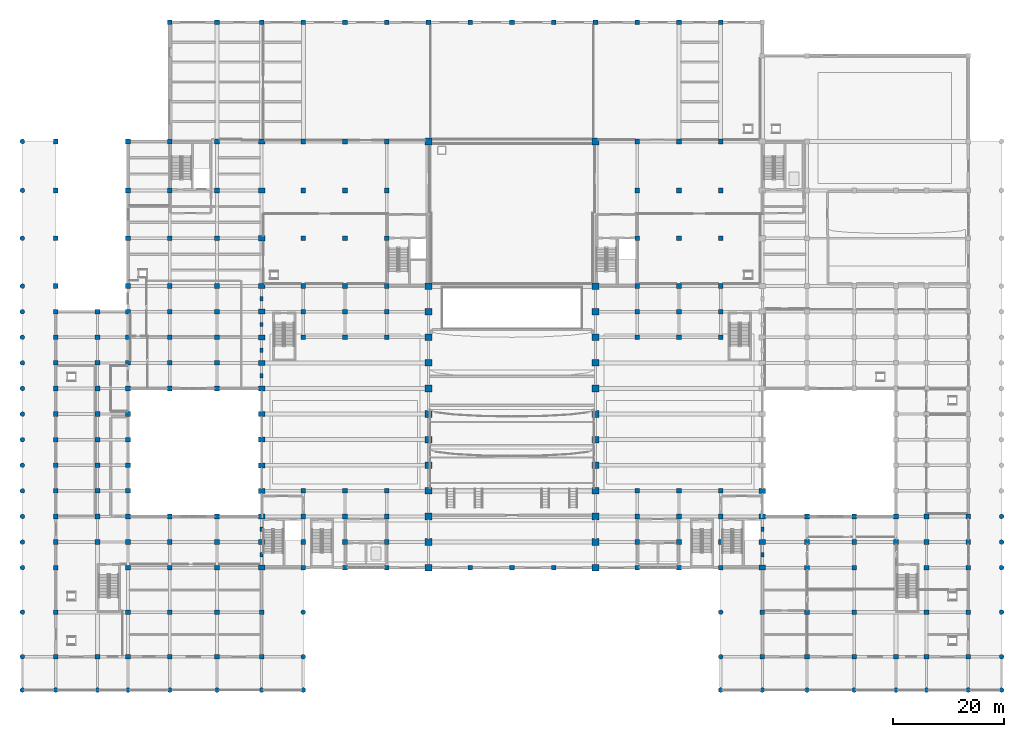
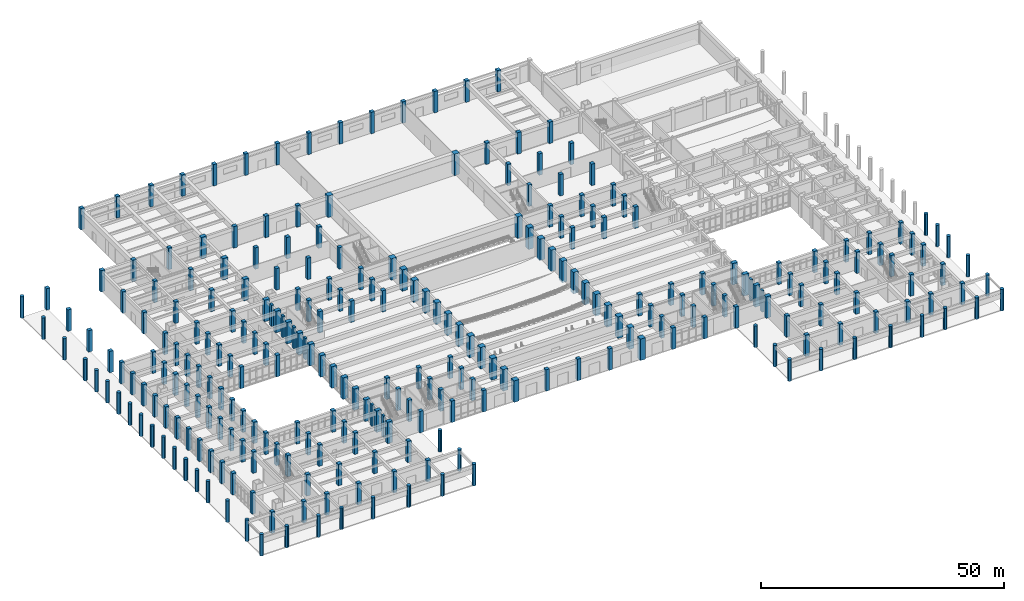
# One storey, part 1 of 84: 270 columns.
"""IFC4 building model written with IfcOpenShell, lengths in metres."""

from ifc_helpers import new_model, si_unit, direction, frame, origin, origin_2d, place, context, subcontext, project, spatial, rectangle, circle, extrude, material, material_profile, profile_set, type_object, element, save


model = new_model("IFC4")

# Units and contexts
model_context = context("Model", 3, precision=1e-05, world=origin(), true_north=direction((0.0, 1.0)))
body_context = subcontext(model_context, "Body", "Model", "MODEL_VIEW")
ifc_project = project(units=[si_unit("LENGTHUNIT", "METRE"), si_unit("AREAUNIT", "SQUARE_METRE"), si_unit("VOLUMEUNIT", "CUBIC_METRE"), si_unit("PLANEANGLEUNIT", "RADIAN"), si_unit("MASSUNIT", "GRAM", prefix="KILO")], contexts=[model_context])

# Site, building, storey
site_placement = place(None, origin())
site = spatial("IfcSite", under=ifc_project, at=site_placement, CompositionType="ELEMENT")
building_placement = place(site_placement, origin())
building = spatial("IfcBuilding", under=site, at=building_placement, Name="Muzn Square Opera House", CompositionType="ELEMENT")
storey_placement = place(building_placement, origin())
storey = spatial("IfcBuildingStorey", under=building, at=storey_placement, Name="L00", CompositionType="ELEMENT", Elevation=0.0)

# Columns
ifc_material = material(Name="Concrete C45/55", Category="concrete")
ifc_material_profile_1 = material_profile(ifc_material, circle(Radius=0.425048828125, at=origin_2d()), Name="RCC D850", Category="concrete")
ifc_profile_set_1 = profile_set([ifc_material_profile_1], Name="Concrete C45/55")
column_type_1 = type_object("IfcColumnType", Name="Colonnade Round Column D850", PredefinedType="COLUMN", material=ifc_profile_set_1)
for number, where, z_axis, x_axis, name in (
    (1, (0.0, 0.0, 0.0), (0.0, 0.0, 1.0), (1.0, 0.0, 0.0), "Column COL-L00-COL-D850-0_0"),
    (2, (0.0, 6.0, 0.0), (0.0, 0.0, 1.0), (1.0, 0.0, 0.0), "Column COL-L00-COL-D850-0_60"),
    (3, (0.0, 14.0, 0.0), (0.0, 0.0, 1.0), (1.0, 0.0, 0.0), "Column COL-L00-COL-D850-0_140"),
    (4, (0.0, 22.0, 0.0), (0.0, 0.0, 1.0), (1.0, 0.0, 0.0), "Column COL-L00-COL-D850-0_220"),
    (5, (0.0, 26.60009765625, 0.0), (0.0, 0.0, 1.0), (1.0, 0.0, 0.0), "Column COL-L00-COL-D850-0_266"),
    (6, (0.0, 31.199951171875, 0.0), (0.0, 0.0, 1.0), (1.0, 0.0, 0.0), "Column COL-L00-COL-D850-0_312"),
    (7, (0.0, 35.800048828125, 0.0), (0.0, 0.0, 1.0), (1.0, 0.0, 0.0), "Column COL-L00-COL-D850-0_358"),
    (8, (0.0, 40.39990234375, 0.0), (0.0, 0.0, 1.0), (1.0, 0.0, 0.0), "Column COL-L00-COL-D850-0_404"),
    (9, (0.0, 45.0, 0.0), (0.0, 0.0, 1.0), (1.0, 0.0, 0.0), "Column COL-L00-COL-D850-0_450"),
    (10, (0.0, 49.60009765625, 0.0), (0.0, 0.0, 1.0), (1.0, 0.0, 0.0), "Column COL-L00-COL-D850-0_496"),
    (11, (0.0, 54.199951171875, 0.0), (0.0, 0.0, 1.0), (1.0, 0.0, 0.0), "Column COL-L00-COL-D850-0_542"),
    (12, (0.0, 58.800048828125, 0.0), (0.0, 0.0, 1.0), (1.0, 0.0, 0.0), "Column COL-L00-COL-D850-0_588"),
    (13, (0.0, 63.39990234375, 0.0), (0.0, 0.0, 1.0), (1.0, 0.0, 0.0), "Column COL-L00-COL-D850-0_634"),
    (14, (0.0, 68.0, 0.0), (0.0, 0.0, 1.0), (1.0, 0.0, 0.0), "Column COL-L00-COL-D850-0_680"),
    (15, (0.0, 72.60009765625, 0.0), (0.0, 0.0, 1.0), (1.0, 0.0, 0.0), "Column COL-L00-COL-D850-0_726"),
    (16, (0.0, 81.199951171875, 0.0), (0.0, 0.0, 1.0), (1.0, 0.0, 0.0), "Column COL-L00-COL-D850-0_812"),
    (17, (0.0, 89.800048828125, 0.0), (0.0, 0.0, 1.0), (1.0, 0.0, 0.0), "Column COL-L00-COL-D850-0_898"),
    (18, (0.0, 98.60009765625, 0.0), (0.0, 0.0, 1.0), (1.0, 0.0, 0.0), "Column COL-L00-COL-D850-0_986"),
    (19, (6.0, 0.0, 0.0), (0.0, 0.0, 1.0), (1.0, 0.0, 0.0), "Column COL-L00-COL-D850-60_0"),
    (20, (13.5, 0.0, 0.0), (0.0, 0.0, 1.0), (1.0, 0.0, 0.0), "Column COL-L00-COL-D850-135_0"),
    (21, (19.0, 0.0, 0.0), (0.0, 0.0, 1.0), (1.0, 0.0, 0.0), "Column COL-L00-COL-D850-190_0"),
    (22, (26.5, 0.0, 0.0), (0.0, 0.0, 1.0), (1.0, 0.0, 0.0), "Column COL-L00-COL-D850-265_0"),
    (23, (35.0, 0.0, 0.0), (0.0, 0.0, 1.0), (1.0, 0.0, 0.0), "Column COL-L00-COL-D850-350_0"),
    (24, (43.0, 0.0, 0.0), (0.0, 0.0, 1.0), (1.0, 0.0, 0.0), "Column COL-L00-COL-D850-430_0"),
    (25, (50.5, 0.0, 0.0), (0.0, 0.0, 1.0), (1.0, 0.0, 0.0), "Column COL-L00-COL-D850-505_0"),
    (26, (50.5, 6.0, 0.0), (0.0, 0.0, 1.0), (1.0, 0.0, 0.0), "Column COL-L00-COL-D850-505_60"),
    (27, (50.5, 14.0, 0.0), (0.0, 0.0, 1.0), (1.0, 0.0, 0.0), "Column COL-L00-COL-D850-505_140"),
    (28, (125.5, 0.0, 0.0), (0.0, 0.0, 1.0), (1.0, 0.0, 0.0), "Column COL-L00-COL-D850-1255_0"),
    (29, (125.5, 6.0, 0.0), (0.0, 0.0, 1.0), (1.0, 0.0, 0.0), "Column COL-L00-COL-D850-1255_60"),
    (30, (125.5, 14.0, 0.0), (0.0, 0.0, 1.0), (1.0, 0.0, 0.0), "Column COL-L00-COL-D850-1255_140"),
    (31, (133.0, 0.0, 0.0), (0.0, 0.0, 1.0), (1.0, 0.0, 0.0), "Column COL-L00-COL-D850-1330_0"),
    (32, (141.0, 0.0, 0.0), (0.0, 0.0, 1.0), (1.0, 0.0, 0.0), "Column COL-L00-COL-D850-1410_0"),
    (33, (149.5, 0.0, 0.0), (0.0, 0.0, 1.0), (1.0, 0.0, 0.0), "Column COL-L00-COL-D850-1495_0"),
    (34, (157.0, 0.0, 0.0), (0.0, 0.0, 1.0), (1.0, 0.0, 0.0), "Column COL-L00-COL-D850-1570_0"),
    (35, (162.5, 0.0, 0.0), (0.0, 0.0, 1.0), (1.0, 0.0, 0.0), "Column COL-L00-COL-D850-1625_0"),
    (36, (170.0, 0.0, 0.0), (0.0, 0.0, 1.0), (1.0, 0.0, 0.0), "Column COL-L00-COL-D850-1700_0"),
    (37, (176.0, 0.0, 0.0), (0.0, 0.0, 1.0), (1.0, 0.0, 0.0), "Column COL-L00-COL-D850-1760_0"),
    (38, (176.0, 6.0, 0.0), (0.0, 0.0, 1.0), (1.0, 0.0, 0.0), "Column COL-L00-COL-D850-1760_60"),
    (39, (176.0, 14.0, 0.0), (0.0, 0.0, 1.0), (1.0, 0.0, 0.0), "Column COL-L00-COL-D850-1760_140"),
    (40, (176.0, 22.0, 0.0), (0.0, 0.0, 1.0), (1.0, 0.0, 0.0), "Column COL-L00-COL-D850-1760_220"),
    (41, (176.0, 26.60009765625, 0.0), (0.0, 0.0, 1.0), (1.0, 0.0, 0.0), "Column COL-L00-COL-D850-1760_266"),
    (42, (176.0, 31.199951171875, 0.0), (0.0, 0.0, 1.0), (1.0, 0.0, 0.0), "Column COL-L00-COL-D850-1760_312"),
):
    element("IfcColumn", number, at=place(storey_placement, frame(where, z_axis=z_axis, x_axis=x_axis)), inside=storey, type_object=column_type_1, Name=name, PredefinedType="COLUMN", context=body_context, shape_type="SweptSolid", body=[
        extrude(circle(Radius=0.425048828125, at=origin_2d()), origin(), (0.0, 0.0, 1.0), 5.39990234375),
    ])
ifc_material_profile_2 = material_profile(ifc_material, rectangle(XDim=0.5, YDim=0.800048828125, at=origin_2d()), Name="RC 500x800", Category="concrete")
ifc_profile_set_2 = profile_set([ifc_material_profile_2], Name="Concrete C45/55")
column_type_2 = type_object("IfcColumnType", Name="Facade Pilaster 500x800", PredefinedType="PILASTER", material=ifc_profile_set_2)
for number, where, z_axis, x_axis, name in (
    (43, (43.0, 24.300048828125, 0.0), (0.0, 0.0, 1.0), (1.0, 0.0, 0.0), "Engaged Pilaster PIL-L00-PIL-5080-430_243"),
    (44, (43.0, 28.89990234375, 0.0), (0.0, 0.0, 1.0), (1.0, 0.0, 0.0), "Engaged Pilaster PIL-L00-PIL-5080-430_289"),
    (45, (43.0, 56.5, 0.0), (0.0, 0.0, 1.0), (1.0, 0.0, 0.0), "Engaged Pilaster PIL-L00-PIL-5080-430_565"),
    (46, (43.0, 61.10009765625, 0.0), (0.0, 0.0, 1.0), (1.0, 0.0, 0.0), "Engaged Pilaster PIL-L00-PIL-5080-430_611"),
    (47, (43.0, 65.699951171875, 0.0), (0.0, 0.0, 1.0), (1.0, 0.0, 0.0), "Engaged Pilaster PIL-L00-PIL-5080-430_657"),
    (48, (43.0, 70.300048828125, 0.0), (0.0, 0.0, 1.0), (1.0, 0.0, 0.0), "Engaged Pilaster PIL-L00-PIL-5080-430_703"),
    (49, (133.0, 24.300048828125, 0.0), (0.0, 0.0, 1.0), (1.0, 0.0, 0.0), "Engaged Pilaster PIL-L00-PIL-5080-1330_243"),
    (50, (133.0, 28.89990234375, 0.0), (0.0, 0.0, 1.0), (1.0, 0.0, 0.0), "Engaged Pilaster PIL-L00-PIL-5080-1330_289"),
):
    element("IfcColumn", number, at=place(storey_placement, frame(where, z_axis=z_axis, x_axis=x_axis)), inside=storey, type_object=column_type_2, Name=name, PredefinedType="PILASTER", context=body_context, shape_type="SweptSolid", body=[
        extrude(rectangle(XDim=0.5, YDim=0.800048828125, at=origin_2d()), origin(), (0.0, 0.0, 1.0), 5.39990234375),
    ])
ifc_material_profile_3 = material_profile(ifc_material, rectangle(XDim=1.199951171875, YDim=1.199951171875, at=origin_2d()), Name="RC 1200x1200", Category="concrete")
ifc_profile_set_3 = profile_set([ifc_material_profile_3], Name="Concrete C45/55")
column_type_3 = type_object("IfcColumnType", Name="Frame Column 1200x1200", PredefinedType="COLUMN", material=ifc_profile_set_3)
for number, where, z_axis, x_axis, name in (
    (51, (73.0, 22.0, 0.0), (0.0, 0.0, 1.0), (1.0, 0.0, 0.0), "Column COL-L00-COL-1200-730_220"),
    (52, (73.0, 26.60009765625, 0.0), (0.0, 0.0, 1.0), (1.0, 0.0, 0.0), "Column COL-L00-COL-1200-730_266"),
    (53, (73.0, 31.199951171875, 0.0), (0.0, 0.0, 1.0), (1.0, 0.0, 0.0), "Column COL-L00-COL-1200-730_312"),
    (54, (73.0, 35.800048828125, 0.0), (0.0, 0.0, 1.0), (1.0, 0.0, 0.0), "Column COL-L00-COL-1200-730_358"),
    (55, (73.0, 40.39990234375, 0.0), (0.0, 0.0, 1.0), (1.0, 0.0, 0.0), "Column COL-L00-COL-1200-730_404"),
    (56, (73.0, 45.0, 0.0), (0.0, 0.0, 1.0), (1.0, 0.0, 0.0), "Column COL-L00-COL-1200-730_450"),
    (57, (73.0, 49.60009765625, 0.0), (0.0, 0.0, 1.0), (1.0, 0.0, 0.0), "Column COL-L00-COL-1200-730_496"),
    (58, (73.0, 54.199951171875, 0.0), (0.0, 0.0, 1.0), (1.0, 0.0, 0.0), "Column COL-L00-COL-1200-730_542"),
    (59, (73.0, 58.800048828125, 0.0), (0.0, 0.0, 1.0), (1.0, 0.0, 0.0), "Column COL-L00-COL-1200-730_588"),
    (60, (73.0, 63.39990234375, 0.0), (0.0, 0.0, 1.0), (1.0, 0.0, 0.0), "Column COL-L00-COL-1200-730_634"),
    (61, (73.0, 68.0, 0.0), (0.0, 0.0, 1.0), (1.0, 0.0, 0.0), "Column COL-L00-COL-1200-730_680"),
    (62, (73.0, 72.60009765625, 0.0), (0.0, 0.0, 1.0), (1.0, 0.0, 0.0), "Column COL-L00-COL-1200-730_726"),
    (63, (73.0, 98.60009765625, 0.0), (0.0, 0.0, 1.0), (1.0, 0.0, 0.0), "Column COL-L00-COL-1200-730_986"),
    (64, (103.0, 22.0, 0.0), (0.0, 0.0, 1.0), (1.0, 0.0, 0.0), "Column COL-L00-COL-1200-1030_220"),
    (65, (103.0, 26.60009765625, 0.0), (0.0, 0.0, 1.0), (1.0, 0.0, 0.0), "Column COL-L00-COL-1200-1030_266"),
    (66, (103.0, 31.199951171875, 0.0), (0.0, 0.0, 1.0), (1.0, 0.0, 0.0), "Column COL-L00-COL-1200-1030_312"),
    (67, (103.0, 35.800048828125, 0.0), (0.0, 0.0, 1.0), (1.0, 0.0, 0.0), "Column COL-L00-COL-1200-1030_358"),
    (68, (103.0, 40.39990234375, 0.0), (0.0, 0.0, 1.0), (1.0, 0.0, 0.0), "Column COL-L00-COL-1200-1030_404"),
    (69, (103.0, 45.0, 0.0), (0.0, 0.0, 1.0), (1.0, 0.0, 0.0), "Column COL-L00-COL-1200-1030_450"),
    (70, (103.0, 49.60009765625, 0.0), (0.0, 0.0, 1.0), (1.0, 0.0, 0.0), "Column COL-L00-COL-1200-1030_496"),
    (71, (103.0, 54.199951171875, 0.0), (0.0, 0.0, 1.0), (1.0, 0.0, 0.0), "Column COL-L00-COL-1200-1030_542"),
    (72, (103.0, 58.800048828125, 0.0), (0.0, 0.0, 1.0), (1.0, 0.0, 0.0), "Column COL-L00-COL-1200-1030_588"),
    (73, (103.0, 63.39990234375, 0.0), (0.0, 0.0, 1.0), (1.0, 0.0, 0.0), "Column COL-L00-COL-1200-1030_634"),
    (74, (103.0, 68.0, 0.0), (0.0, 0.0, 1.0), (1.0, 0.0, 0.0), "Column COL-L00-COL-1200-1030_680"),
    (75, (103.0, 72.60009765625, 0.0), (0.0, 0.0, 1.0), (1.0, 0.0, 0.0), "Column COL-L00-COL-1200-1030_726"),
    (76, (103.0, 98.60009765625, 0.0), (0.0, 0.0, 1.0), (1.0, 0.0, 0.0), "Column COL-L00-COL-1200-1030_986"),
):
    element("IfcColumn", number, at=place(storey_placement, frame(where, z_axis=z_axis, x_axis=x_axis)), inside=storey, type_object=column_type_3, Name=name, PredefinedType="COLUMN", context=body_context, shape_type="SweptSolid", body=[
        extrude(rectangle(XDim=1.199951171875, YDim=1.199951171875, at=origin_2d()), origin(), (0.0, 0.0, 1.0), 5.39990234375),
    ])
ifc_material_profile_4 = material_profile(ifc_material, rectangle(XDim=1.199951171875, YDim=0.89990234375, at=origin_2d()), Name="RC 1200x900", Category="concrete")
ifc_profile_set_4 = profile_set([ifc_material_profile_4], Name="Concrete C45/55")
column_type_4 = type_object("IfcColumnType", Name="Frame Column 1200x900", PredefinedType="COLUMN", material=ifc_profile_set_4)
for number, where, z_axis, x_axis, name in (
    (77, (43.0, 22.0, 0.0), (0.0, 0.0, 1.0), (1.0, 0.0, 0.0), "Column COL-L00-COL-1209-430_220"),
    (78, (43.0, 26.60009765625, 0.0), (0.0, 0.0, 1.0), (1.0, 0.0, 0.0), "Column COL-L00-COL-1209-430_266"),
    (79, (43.0, 31.199951171875, 0.0), (0.0, 0.0, 1.0), (1.0, 0.0, 0.0), "Column COL-L00-COL-1209-430_312"),
    (80, (43.0, 35.800048828125, 0.0), (0.0, 0.0, 1.0), (1.0, 0.0, 0.0), "Column COL-L00-COL-1209-430_358"),
    (81, (43.0, 40.39990234375, 0.0), (0.0, 0.0, 1.0), (1.0, 0.0, 0.0), "Column COL-L00-COL-1209-430_404"),
    (82, (43.0, 45.0, 0.0), (0.0, 0.0, 1.0), (1.0, 0.0, 0.0), "Column COL-L00-COL-1209-430_450"),
    (83, (43.0, 49.60009765625, 0.0), (0.0, 0.0, 1.0), (1.0, 0.0, 0.0), "Column COL-L00-COL-1209-430_496"),
    (84, (43.0, 54.199951171875, 0.0), (0.0, 0.0, 1.0), (1.0, 0.0, 0.0), "Column COL-L00-COL-1209-430_542"),
    (85, (43.0, 58.800048828125, 0.0), (0.0, 0.0, 1.0), (1.0, 0.0, 0.0), "Column COL-L00-COL-1209-430_588"),
    (86, (43.0, 63.39990234375, 0.0), (0.0, 0.0, 1.0), (1.0, 0.0, 0.0), "Column COL-L00-COL-1209-430_634"),
    (87, (43.0, 68.0, 0.0), (0.0, 0.0, 1.0), (1.0, 0.0, 0.0), "Column COL-L00-COL-1209-430_680"),
    (88, (43.0, 72.60009765625, 0.0), (0.0, 0.0, 1.0), (1.0, 0.0, 0.0), "Column COL-L00-COL-1209-430_726"),
    (89, (43.0, 81.199951171875, 0.0), (0.0, 0.0, 1.0), (1.0, 0.0, 0.0), "Column COL-L00-COL-1209-430_812"),
    (90, (43.0, 89.800048828125, 0.0), (0.0, 0.0, 1.0), (1.0, 0.0, 0.0), "Column COL-L00-COL-1209-430_898"),
    (91, (43.0, 98.60009765625, 0.0), (0.0, 0.0, 1.0), (1.0, 0.0, 0.0), "Column COL-L00-COL-1209-430_986"),
    (92, (133.0, 22.0, 0.0), (0.0, 0.0, 1.0), (1.0, 0.0, 0.0), "Column COL-L00-COL-1209-1330_220"),
    (93, (133.0, 26.60009765625, 0.0), (0.0, 0.0, 1.0), (1.0, 0.0, 0.0), "Column COL-L00-COL-1209-1330_266"),
    (94, (133.0, 31.199951171875, 0.0), (0.0, 0.0, 1.0), (1.0, 0.0, 0.0), "Column COL-L00-COL-1209-1330_312"),
    (95, (133.0, 35.800048828125, 0.0), (0.0, 0.0, 1.0), (1.0, 0.0, 0.0), "Column COL-L00-COL-1209-1330_358"),
):
    element("IfcColumn", number, at=place(storey_placement, frame(where, z_axis=z_axis, x_axis=x_axis)), inside=storey, type_object=column_type_4, Name=name, PredefinedType="COLUMN", context=body_context, shape_type="SweptSolid", body=[
        extrude(rectangle(XDim=1.199951171875, YDim=0.89990234375, at=origin_2d()), origin(), (0.0, 0.0, 1.0), 5.39990234375),
    ])
ifc_material_profile_5 = material_profile(ifc_material, rectangle(XDim=0.85009765625, YDim=0.85009765625, at=origin_2d()), Name="RC 850x850", Category="concrete")
ifc_profile_set_5 = profile_set([ifc_material_profile_5], Name="Concrete C45/55")
column_type_5 = type_object("IfcColumnType", Name="Frame Column 850x850", PredefinedType="COLUMN", material=ifc_profile_set_5)
for number, where, z_axis, x_axis, name in (
    (96, (6.0, 6.0, 0.0), (0.0, 0.0, 1.0), (1.0, 0.0, 0.0), "Column COL-L00-COL-850-60_60"),
    (97, (6.0, 14.0, 0.0), (0.0, 0.0, 1.0), (1.0, 0.0, 0.0), "Column COL-L00-COL-850-60_140"),
    (98, (6.0, 22.0, 0.0), (0.0, 0.0, 1.0), (1.0, 0.0, 0.0), "Column COL-L00-COL-850-60_220"),
    (99, (6.0, 26.60009765625, 0.0), (0.0, 0.0, 1.0), (1.0, 0.0, 0.0), "Column COL-L00-COL-850-60_266"),
    (100, (6.0, 31.199951171875, 0.0), (0.0, 0.0, 1.0), (1.0, 0.0, 0.0), "Column COL-L00-COL-850-60_312"),
    (101, (6.0, 35.800048828125, 0.0), (0.0, 0.0, 1.0), (1.0, 0.0, 0.0), "Column COL-L00-COL-850-60_358"),
    (102, (6.0, 40.39990234375, 0.0), (0.0, 0.0, 1.0), (1.0, 0.0, 0.0), "Column COL-L00-COL-850-60_404"),
    (103, (6.0, 45.0, 0.0), (0.0, 0.0, 1.0), (1.0, 0.0, 0.0), "Column COL-L00-COL-850-60_450"),
    (104, (6.0, 49.60009765625, 0.0), (0.0, 0.0, 1.0), (1.0, 0.0, 0.0), "Column COL-L00-COL-850-60_496"),
    (105, (6.0, 54.199951171875, 0.0), (0.0, 0.0, 1.0), (1.0, 0.0, 0.0), "Column COL-L00-COL-850-60_542"),
    (106, (6.0, 58.800048828125, 0.0), (0.0, 0.0, 1.0), (1.0, 0.0, 0.0), "Column COL-L00-COL-850-60_588"),
    (107, (6.0, 63.39990234375, 0.0), (0.0, 0.0, 1.0), (1.0, 0.0, 0.0), "Column COL-L00-COL-850-60_634"),
    (108, (6.0, 68.0, 0.0), (0.0, 0.0, 1.0), (1.0, 0.0, 0.0), "Column COL-L00-COL-850-60_680"),
    (109, (6.0, 72.60009765625, 0.0), (0.0, 0.0, 1.0), (1.0, 0.0, 0.0), "Column COL-L00-COL-850-60_726"),
    (110, (6.0, 81.199951171875, 0.0), (0.0, 0.0, 1.0), (1.0, 0.0, 0.0), "Column COL-L00-COL-850-60_812"),
    (111, (6.0, 89.800048828125, 0.0), (0.0, 0.0, 1.0), (1.0, 0.0, 0.0), "Column COL-L00-COL-850-60_898"),
    (112, (6.0, 98.60009765625, 0.0), (0.0, 0.0, 1.0), (1.0, 0.0, 0.0), "Column COL-L00-COL-850-60_986"),
    (113, (13.5, 6.0, 0.0), (0.0, 0.0, 1.0), (1.0, 0.0, 0.0), "Column COL-L00-COL-850-135_60"),
    (114, (13.5, 26.60009765625, 0.0), (0.0, 0.0, 1.0), (1.0, 0.0, 0.0), "Column COL-L00-COL-850-135_266"),
    (115, (13.5, 31.199951171875, 0.0), (0.0, 0.0, 1.0), (1.0, 0.0, 0.0), "Column COL-L00-COL-850-135_312"),
    (116, (13.5, 35.800048828125, 0.0), (0.0, 0.0, 1.0), (1.0, 0.0, 0.0), "Column COL-L00-COL-850-135_358"),
    (117, (13.5, 40.39990234375, 0.0), (0.0, 0.0, 1.0), (1.0, 0.0, 0.0), "Column COL-L00-COL-850-135_404"),
    (118, (13.5, 45.0, 0.0), (0.0, 0.0, 1.0), (1.0, 0.0, 0.0), "Column COL-L00-COL-850-135_450"),
    (119, (13.5, 49.60009765625, 0.0), (0.0, 0.0, 1.0), (1.0, 0.0, 0.0), "Column COL-L00-COL-850-135_496"),
    (120, (13.5, 54.199951171875, 0.0), (0.0, 0.0, 1.0), (1.0, 0.0, 0.0), "Column COL-L00-COL-850-135_542"),
    (121, (13.5, 58.800048828125, 0.0), (0.0, 0.0, 1.0), (1.0, 0.0, 0.0), "Column COL-L00-COL-850-135_588"),
    (122, (13.5, 63.39990234375, 0.0), (0.0, 0.0, 1.0), (1.0, 0.0, 0.0), "Column COL-L00-COL-850-135_634"),
    (123, (13.5, 68.0, 0.0), (0.0, 0.0, 1.0), (1.0, 0.0, 0.0), "Column COL-L00-COL-850-135_680"),
    (124, (19.0, 6.0, 0.0), (0.0, 0.0, 1.0), (1.0, 0.0, 0.0), "Column COL-L00-COL-850-190_60"),
    (125, (19.0, 14.0, 0.0), (0.0, 0.0, 1.0), (1.0, 0.0, 0.0), "Column COL-L00-COL-850-190_140"),
    (126, (19.0, 22.0, 0.0), (0.0, 0.0, 1.0), (1.0, 0.0, 0.0), "Column COL-L00-COL-850-190_220"),
    (127, (19.0, 26.60009765625, 0.0), (0.0, 0.0, 1.0), (1.0, 0.0, 0.0), "Column COL-L00-COL-850-190_266"),
    (128, (19.0, 31.199951171875, 0.0), (0.0, 0.0, 1.0), (1.0, 0.0, 0.0), "Column COL-L00-COL-850-190_312"),
    (129, (19.0, 35.800048828125, 0.0), (0.0, 0.0, 1.0), (1.0, 0.0, 0.0), "Column COL-L00-COL-850-190_358"),
    (130, (19.0, 40.39990234375, 0.0), (0.0, 0.0, 1.0), (1.0, 0.0, 0.0), "Column COL-L00-COL-850-190_404"),
    (131, (19.0, 45.0, 0.0), (0.0, 0.0, 1.0), (1.0, 0.0, 0.0), "Column COL-L00-COL-850-190_450"),
    (132, (19.0, 49.60009765625, 0.0), (0.0, 0.0, 1.0), (1.0, 0.0, 0.0), "Column COL-L00-COL-850-190_496"),
    (133, (19.0, 54.199951171875, 0.0), (0.0, 0.0, 1.0), (1.0, 0.0, 0.0), "Column COL-L00-COL-850-190_542"),
    (134, (19.0, 58.800048828125, 0.0), (0.0, 0.0, 1.0), (1.0, 0.0, 0.0), "Column COL-L00-COL-850-190_588"),
    (135, (19.0, 63.39990234375, 0.0), (0.0, 0.0, 1.0), (1.0, 0.0, 0.0), "Column COL-L00-COL-850-190_634"),
    (136, (19.0, 68.0, 0.0), (0.0, 0.0, 1.0), (1.0, 0.0, 0.0), "Column COL-L00-COL-850-190_680"),
    (137, (19.0, 72.60009765625, 0.0), (0.0, 0.0, 1.0), (1.0, 0.0, 0.0), "Column COL-L00-COL-850-190_726"),
    (138, (19.0, 81.199951171875, 0.0), (0.0, 0.0, 1.0), (1.0, 0.0, 0.0), "Column COL-L00-COL-850-190_812"),
    (139, (19.0, 89.800048828125, 0.0), (0.0, 0.0, 1.0), (1.0, 0.0, 0.0), "Column COL-L00-COL-850-190_898"),
    (140, (19.0, 98.60009765625, 0.0), (0.0, 0.0, 1.0), (1.0, 0.0, 0.0), "Column COL-L00-COL-850-190_986"),
    (141, (26.5, 6.0, 0.0), (0.0, 0.0, 1.0), (1.0, 0.0, 0.0), "Column COL-L00-COL-850-265_60"),
    (142, (26.5, 14.0, 0.0), (0.0, 0.0, 1.0), (1.0, 0.0, 0.0), "Column COL-L00-COL-850-265_140"),
    (143, (26.5, 22.0, 0.0), (0.0, 0.0, 1.0), (1.0, 0.0, 0.0), "Column COL-L00-COL-850-265_220"),
    (144, (26.5, 26.60009765625, 0.0), (0.0, 0.0, 1.0), (1.0, 0.0, 0.0), "Column COL-L00-COL-850-265_266"),
    (145, (26.5, 31.199951171875, 0.0), (0.0, 0.0, 1.0), (1.0, 0.0, 0.0), "Column COL-L00-COL-850-265_312"),
    (146, (26.5, 54.199951171875, 0.0), (0.0, 0.0, 1.0), (1.0, 0.0, 0.0), "Column COL-L00-COL-850-265_542"),
    (147, (26.5, 58.800048828125, 0.0), (0.0, 0.0, 1.0), (1.0, 0.0, 0.0), "Column COL-L00-COL-850-265_588"),
    (148, (26.5, 63.39990234375, 0.0), (0.0, 0.0, 1.0), (1.0, 0.0, 0.0), "Column COL-L00-COL-850-265_634"),
    (149, (26.5, 68.0, 0.0), (0.0, 0.0, 1.0), (1.0, 0.0, 0.0), "Column COL-L00-COL-850-265_680"),
    (150, (26.5, 72.60009765625, 0.0), (0.0, 0.0, 1.0), (1.0, 0.0, 0.0), "Column COL-L00-COL-850-265_726"),
    (151, (26.5, 81.199951171875, 0.0), (0.0, 0.0, 1.0), (1.0, 0.0, 0.0), "Column COL-L00-COL-850-265_812"),
    (152, (26.5, 89.800048828125, 0.0), (0.0, 0.0, 1.0), (1.0, 0.0, 0.0), "Column COL-L00-COL-850-265_898"),
    (153, (26.5, 98.60009765625, 0.0), (0.0, 0.0, 1.0), (1.0, 0.0, 0.0), "Column COL-L00-COL-850-265_986"),
    (154, (26.5, 120.0, 0.0), (0.0, 0.0, 1.0), (1.0, 0.0, 0.0), "Column COL-L00-COL-850-265_1200"),
    (155, (35.0, 6.0, 0.0), (0.0, 0.0, 1.0), (1.0, 0.0, 0.0), "Column COL-L00-COL-850-350_60"),
    (156, (35.0, 14.0, 0.0), (0.0, 0.0, 1.0), (1.0, 0.0, 0.0), "Column COL-L00-COL-850-350_140"),
    (157, (35.0, 22.0, 0.0), (0.0, 0.0, 1.0), (1.0, 0.0, 0.0), "Column COL-L00-COL-850-350_220"),
    (158, (35.0, 26.60009765625, 0.0), (0.0, 0.0, 1.0), (1.0, 0.0, 0.0), "Column COL-L00-COL-850-350_266"),
    (159, (35.0, 31.199951171875, 0.0), (0.0, 0.0, 1.0), (1.0, 0.0, 0.0), "Column COL-L00-COL-850-350_312"),
    (160, (35.0, 54.199951171875, 0.0), (0.0, 0.0, 1.0), (1.0, 0.0, 0.0), "Column COL-L00-COL-850-350_542"),
    (161, (35.0, 58.800048828125, 0.0), (0.0, 0.0, 1.0), (1.0, 0.0, 0.0), "Column COL-L00-COL-850-350_588"),
    (162, (35.0, 63.39990234375, 0.0), (0.0, 0.0, 1.0), (1.0, 0.0, 0.0), "Column COL-L00-COL-850-350_634"),
    (163, (35.0, 68.0, 0.0), (0.0, 0.0, 1.0), (1.0, 0.0, 0.0), "Column COL-L00-COL-850-350_680"),
    (164, (35.0, 72.60009765625, 0.0), (0.0, 0.0, 1.0), (1.0, 0.0, 0.0), "Column COL-L00-COL-850-350_726"),
    (165, (35.0, 81.199951171875, 0.0), (0.0, 0.0, 1.0), (1.0, 0.0, 0.0), "Column COL-L00-COL-850-350_812"),
    (166, (35.0, 89.800048828125, 0.0), (0.0, 0.0, 1.0), (1.0, 0.0, 0.0), "Column COL-L00-COL-850-350_898"),
    (167, (35.0, 98.60009765625, 0.0), (0.0, 0.0, 1.0), (1.0, 0.0, 0.0), "Column COL-L00-COL-850-350_986"),
    (168, (35.0, 120.0, 0.0), (0.0, 0.0, 1.0), (1.0, 0.0, 0.0), "Column COL-L00-COL-850-350_1200"),
    (169, (43.0, 6.0, 0.0), (0.0, 0.0, 1.0), (1.0, 0.0, 0.0), "Column COL-L00-COL-850-430_60"),
    (170, (43.0, 14.0, 0.0), (0.0, 0.0, 1.0), (1.0, 0.0, 0.0), "Column COL-L00-COL-850-430_140"),
    (171, (43.0, 120.0, 0.0), (0.0, 0.0, 1.0), (1.0, 0.0, 0.0), "Column COL-L00-COL-850-430_1200"),
    (172, (50.5, 22.0, 0.0), (0.0, 0.0, 1.0), (1.0, 0.0, 0.0), "Column COL-L00-COL-850-505_220"),
    (173, (50.5, 26.60009765625, 0.0), (0.0, 0.0, 1.0), (1.0, 0.0, 0.0), "Column COL-L00-COL-850-505_266"),
    (174, (50.5, 31.199951171875, 0.0), (0.0, 0.0, 1.0), (1.0, 0.0, 0.0), "Column COL-L00-COL-850-505_312"),
    (175, (50.5, 35.800048828125, 0.0), (0.0, 0.0, 1.0), (1.0, 0.0, 0.0), "Column COL-L00-COL-850-505_358"),
    (176, (50.5, 63.39990234375, 0.0), (0.0, 0.0, 1.0), (1.0, 0.0, 0.0), "Column COL-L00-COL-850-505_634"),
    (177, (50.5, 68.0, 0.0), (0.0, 0.0, 1.0), (1.0, 0.0, 0.0), "Column COL-L00-COL-850-505_680"),
    (178, (50.5, 72.60009765625, 0.0), (0.0, 0.0, 1.0), (1.0, 0.0, 0.0), "Column COL-L00-COL-850-505_726"),
    (179, (50.5, 81.199951171875, 0.0), (0.0, 0.0, 1.0), (1.0, 0.0, 0.0), "Column COL-L00-COL-850-505_812"),
    (180, (50.5, 89.800048828125, 0.0), (0.0, 0.0, 1.0), (1.0, 0.0, 0.0), "Column COL-L00-COL-850-505_898"),
    (181, (50.5, 98.60009765625, 0.0), (0.0, 0.0, 1.0), (1.0, 0.0, 0.0), "Column COL-L00-COL-850-505_986"),
    (182, (50.5, 120.0, 0.0), (0.0, 0.0, 1.0), (1.0, 0.0, 0.0), "Column COL-L00-COL-850-505_1200"),
    (183, (58.0, 22.0, 0.0), (0.0, 0.0, 1.0), (1.0, 0.0, 0.0), "Column COL-L00-COL-850-580_220"),
    (184, (58.0, 26.60009765625, 0.0), (0.0, 0.0, 1.0), (1.0, 0.0, 0.0), "Column COL-L00-COL-850-580_266"),
    (185, (58.0, 31.199951171875, 0.0), (0.0, 0.0, 1.0), (1.0, 0.0, 0.0), "Column COL-L00-COL-850-580_312"),
    (186, (58.0, 35.800048828125, 0.0), (0.0, 0.0, 1.0), (1.0, 0.0, 0.0), "Column COL-L00-COL-850-580_358"),
    (187, (58.0, 63.39990234375, 0.0), (0.0, 0.0, 1.0), (1.0, 0.0, 0.0), "Column COL-L00-COL-850-580_634"),
    (188, (58.0, 68.0, 0.0), (0.0, 0.0, 1.0), (1.0, 0.0, 0.0), "Column COL-L00-COL-850-580_680"),
    (189, (58.0, 72.60009765625, 0.0), (0.0, 0.0, 1.0), (1.0, 0.0, 0.0), "Column COL-L00-COL-850-580_726"),
    (190, (58.0, 81.199951171875, 0.0), (0.0, 0.0, 1.0), (1.0, 0.0, 0.0), "Column COL-L00-COL-850-580_812"),
    (191, (58.0, 89.800048828125, 0.0), (0.0, 0.0, 1.0), (1.0, 0.0, 0.0), "Column COL-L00-COL-850-580_898"),
    (192, (58.0, 98.60009765625, 0.0), (0.0, 0.0, 1.0), (1.0, 0.0, 0.0), "Column COL-L00-COL-850-580_986"),
    (193, (58.0, 120.0, 0.0), (0.0, 0.0, 1.0), (1.0, 0.0, 0.0), "Column COL-L00-COL-850-580_1200"),
    (194, (65.5, 22.0, 0.0), (0.0, 0.0, 1.0), (1.0, 0.0, 0.0), "Column COL-L00-COL-850-655_220"),
    (195, (65.5, 26.60009765625, 0.0), (0.0, 0.0, 1.0), (1.0, 0.0, 0.0), "Column COL-L00-COL-850-655_266"),
    (196, (65.5, 31.199951171875, 0.0), (0.0, 0.0, 1.0), (1.0, 0.0, 0.0), "Column COL-L00-COL-850-655_312"),
    (197, (65.5, 35.800048828125, 0.0), (0.0, 0.0, 1.0), (1.0, 0.0, 0.0), "Column COL-L00-COL-850-655_358"),
    (198, (65.5, 63.39990234375, 0.0), (0.0, 0.0, 1.0), (1.0, 0.0, 0.0), "Column COL-L00-COL-850-655_634"),
    (199, (65.5, 68.0, 0.0), (0.0, 0.0, 1.0), (1.0, 0.0, 0.0), "Column COL-L00-COL-850-655_680"),
    (200, (65.5, 72.60009765625, 0.0), (0.0, 0.0, 1.0), (1.0, 0.0, 0.0), "Column COL-L00-COL-850-655_726"),
    (201, (65.5, 81.199951171875, 0.0), (0.0, 0.0, 1.0), (1.0, 0.0, 0.0), "Column COL-L00-COL-850-655_812"),
    (202, (65.5, 89.800048828125, 0.0), (0.0, 0.0, 1.0), (1.0, 0.0, 0.0), "Column COL-L00-COL-850-655_898"),
    (203, (65.5, 98.60009765625, 0.0), (0.0, 0.0, 1.0), (1.0, 0.0, 0.0), "Column COL-L00-COL-850-655_986"),
    (204, (65.5, 120.0, 0.0), (0.0, 0.0, 1.0), (1.0, 0.0, 0.0), "Column COL-L00-COL-850-655_1200"),
    (205, (73.0, 120.0, 0.0), (0.0, 0.0, 1.0), (1.0, 0.0, 0.0), "Column COL-L00-COL-850-730_1200"),
    (206, (80.5, 22.0, 0.0), (0.0, 0.0, 1.0), (1.0, 0.0, 0.0), "Column COL-L00-COL-850-805_220"),
    (207, (80.5, 120.0, 0.0), (0.0, 0.0, 1.0), (1.0, 0.0, 0.0), "Column COL-L00-COL-850-805_1200"),
    (208, (88.0, 22.0, 0.0), (0.0, 0.0, 1.0), (1.0, 0.0, 0.0), "Column COL-L00-COL-850-880_220"),
    (209, (88.0, 120.0, 0.0), (0.0, 0.0, 1.0), (1.0, 0.0, 0.0), "Column COL-L00-COL-850-880_1200"),
    (210, (95.5, 22.0, 0.0), (0.0, 0.0, 1.0), (1.0, 0.0, 0.0), "Column COL-L00-COL-850-955_220"),
    (211, (95.5, 120.0, 0.0), (0.0, 0.0, 1.0), (1.0, 0.0, 0.0), "Column COL-L00-COL-850-955_1200"),
    (212, (103.0, 120.0, 0.0), (0.0, 0.0, 1.0), (1.0, 0.0, 0.0), "Column COL-L00-COL-850-1030_1200"),
    (213, (110.5, 22.0, 0.0), (0.0, 0.0, 1.0), (1.0, 0.0, 0.0), "Column COL-L00-COL-850-1105_220"),
    (214, (110.5, 26.60009765625, 0.0), (0.0, 0.0, 1.0), (1.0, 0.0, 0.0), "Column COL-L00-COL-850-1105_266"),
    (215, (110.5, 31.199951171875, 0.0), (0.0, 0.0, 1.0), (1.0, 0.0, 0.0), "Column COL-L00-COL-850-1105_312"),
    (216, (110.5, 35.800048828125, 0.0), (0.0, 0.0, 1.0), (1.0, 0.0, 0.0), "Column COL-L00-COL-850-1105_358"),
    (217, (110.5, 63.39990234375, 0.0), (0.0, 0.0, 1.0), (1.0, 0.0, 0.0), "Column COL-L00-COL-850-1105_634"),
    (218, (110.5, 68.0, 0.0), (0.0, 0.0, 1.0), (1.0, 0.0, 0.0), "Column COL-L00-COL-850-1105_680"),
    (219, (110.5, 72.60009765625, 0.0), (0.0, 0.0, 1.0), (1.0, 0.0, 0.0), "Column COL-L00-COL-850-1105_726"),
    (220, (110.5, 81.199951171875, 0.0), (0.0, 0.0, 1.0), (1.0, 0.0, 0.0), "Column COL-L00-COL-850-1105_812"),
    (221, (110.5, 89.800048828125, 0.0), (0.0, 0.0, 1.0), (1.0, 0.0, 0.0), "Column COL-L00-COL-850-1105_898"),
    (222, (110.5, 98.60009765625, 0.0), (0.0, 0.0, 1.0), (1.0, 0.0, 0.0), "Column COL-L00-COL-850-1105_986"),
    (223, (110.5, 120.0, 0.0), (0.0, 0.0, 1.0), (1.0, 0.0, 0.0), "Column COL-L00-COL-850-1105_1200"),
    (224, (118.0, 22.0, 0.0), (0.0, 0.0, 1.0), (1.0, 0.0, 0.0), "Column COL-L00-COL-850-1180_220"),
    (225, (118.0, 26.60009765625, 0.0), (0.0, 0.0, 1.0), (1.0, 0.0, 0.0), "Column COL-L00-COL-850-1180_266"),
    (226, (118.0, 31.199951171875, 0.0), (0.0, 0.0, 1.0), (1.0, 0.0, 0.0), "Column COL-L00-COL-850-1180_312"),
    (227, (118.0, 35.800048828125, 0.0), (0.0, 0.0, 1.0), (1.0, 0.0, 0.0), "Column COL-L00-COL-850-1180_358"),
    (228, (118.0, 63.39990234375, 0.0), (0.0, 0.0, 1.0), (1.0, 0.0, 0.0), "Column COL-L00-COL-850-1180_634"),
    (229, (118.0, 68.0, 0.0), (0.0, 0.0, 1.0), (1.0, 0.0, 0.0), "Column COL-L00-COL-850-1180_680"),
    (230, (118.0, 72.60009765625, 0.0), (0.0, 0.0, 1.0), (1.0, 0.0, 0.0), "Column COL-L00-COL-850-1180_726"),
    (231, (118.0, 81.199951171875, 0.0), (0.0, 0.0, 1.0), (1.0, 0.0, 0.0), "Column COL-L00-COL-850-1180_812"),
    (232, (118.0, 89.800048828125, 0.0), (0.0, 0.0, 1.0), (1.0, 0.0, 0.0), "Column COL-L00-COL-850-1180_898"),
    (233, (118.0, 98.60009765625, 0.0), (0.0, 0.0, 1.0), (1.0, 0.0, 0.0), "Column COL-L00-COL-850-1180_986"),
    (234, (118.0, 120.0, 0.0), (0.0, 0.0, 1.0), (1.0, 0.0, 0.0), "Column COL-L00-COL-850-1180_1200"),
    (235, (125.5, 22.0, 0.0), (0.0, 0.0, 1.0), (1.0, 0.0, 0.0), "Column COL-L00-COL-850-1255_220"),
    (236, (125.5, 26.60009765625, 0.0), (0.0, 0.0, 1.0), (1.0, 0.0, 0.0), "Column COL-L00-COL-850-1255_266"),
    (237, (125.5, 31.199951171875, 0.0), (0.0, 0.0, 1.0), (1.0, 0.0, 0.0), "Column COL-L00-COL-850-1255_312"),
    (238, (125.5, 35.800048828125, 0.0), (0.0, 0.0, 1.0), (1.0, 0.0, 0.0), "Column COL-L00-COL-850-1255_358"),
    (239, (125.5, 63.39990234375, 0.0), (0.0, 0.0, 1.0), (1.0, 0.0, 0.0), "Column COL-L00-COL-850-1255_634"),
    (240, (125.5, 68.0, 0.0), (0.0, 0.0, 1.0), (1.0, 0.0, 0.0), "Column COL-L00-COL-850-1255_680"),
    (241, (125.5, 72.60009765625, 0.0), (0.0, 0.0, 1.0), (1.0, 0.0, 0.0), "Column COL-L00-COL-850-1255_726"),
    (242, (125.5, 81.199951171875, 0.0), (0.0, 0.0, 1.0), (1.0, 0.0, 0.0), "Column COL-L00-COL-850-1255_812"),
    (243, (125.5, 89.800048828125, 0.0), (0.0, 0.0, 1.0), (1.0, 0.0, 0.0), "Column COL-L00-COL-850-1255_898"),
    (244, (125.5, 98.60009765625, 0.0), (0.0, 0.0, 1.0), (1.0, 0.0, 0.0), "Column COL-L00-COL-850-1255_986"),
    (245, (125.5, 120.0, 0.0), (0.0, 0.0, 1.0), (1.0, 0.0, 0.0), "Column COL-L00-COL-850-1255_1200"),
    (246, (133.0, 6.0, 0.0), (0.0, 0.0, 1.0), (1.0, 0.0, 0.0), "Column COL-L00-COL-850-1330_60"),
    (247, (133.0, 14.0, 0.0), (0.0, 0.0, 1.0), (1.0, 0.0, 0.0), "Column COL-L00-COL-850-1330_140"),
    (248, (141.0, 6.0, 0.0), (0.0, 0.0, 1.0), (1.0, 0.0, 0.0), "Column COL-L00-COL-850-1410_60"),
    (249, (141.0, 14.0, 0.0), (0.0, 0.0, 1.0), (1.0, 0.0, 0.0), "Column COL-L00-COL-850-1410_140"),
    (250, (141.0, 22.0, 0.0), (0.0, 0.0, 1.0), (1.0, 0.0, 0.0), "Column COL-L00-COL-850-1410_220"),
    (251, (141.0, 26.60009765625, 0.0), (0.0, 0.0, 1.0), (1.0, 0.0, 0.0), "Column COL-L00-COL-850-1410_266"),
    (252, (141.0, 31.199951171875, 0.0), (0.0, 0.0, 1.0), (1.0, 0.0, 0.0), "Column COL-L00-COL-850-1410_312"),
    (253, (149.5, 6.0, 0.0), (0.0, 0.0, 1.0), (1.0, 0.0, 0.0), "Column COL-L00-COL-850-1495_60"),
    (254, (149.5, 14.0, 0.0), (0.0, 0.0, 1.0), (1.0, 0.0, 0.0), "Column COL-L00-COL-850-1495_140"),
    (255, (149.5, 22.0, 0.0), (0.0, 0.0, 1.0), (1.0, 0.0, 0.0), "Column COL-L00-COL-850-1495_220"),
    (256, (149.5, 26.60009765625, 0.0), (0.0, 0.0, 1.0), (1.0, 0.0, 0.0), "Column COL-L00-COL-850-1495_266"),
    (257, (149.5, 31.199951171875, 0.0), (0.0, 0.0, 1.0), (1.0, 0.0, 0.0), "Column COL-L00-COL-850-1495_312"),
    (258, (157.0, 6.0, 0.0), (0.0, 0.0, 1.0), (1.0, 0.0, 0.0), "Column COL-L00-COL-850-1570_60"),
    (259, (157.0, 26.60009765625, 0.0), (0.0, 0.0, 1.0), (1.0, 0.0, 0.0), "Column COL-L00-COL-850-1570_266"),
    (260, (157.0, 31.199951171875, 0.0), (0.0, 0.0, 1.0), (1.0, 0.0, 0.0), "Column COL-L00-COL-850-1570_312"),
    (261, (162.5, 6.0, 0.0), (0.0, 0.0, 1.0), (1.0, 0.0, 0.0), "Column COL-L00-COL-850-1625_60"),
    (262, (162.5, 14.0, 0.0), (0.0, 0.0, 1.0), (1.0, 0.0, 0.0), "Column COL-L00-COL-850-1625_140"),
    (263, (162.5, 22.0, 0.0), (0.0, 0.0, 1.0), (1.0, 0.0, 0.0), "Column COL-L00-COL-850-1625_220"),
    (264, (162.5, 26.60009765625, 0.0), (0.0, 0.0, 1.0), (1.0, 0.0, 0.0), "Column COL-L00-COL-850-1625_266"),
    (265, (162.5, 31.199951171875, 0.0), (0.0, 0.0, 1.0), (1.0, 0.0, 0.0), "Column COL-L00-COL-850-1625_312"),
    (266, (170.0, 6.0, 0.0), (0.0, 0.0, 1.0), (1.0, 0.0, 0.0), "Column COL-L00-COL-850-1700_60"),
    (267, (170.0, 14.0, 0.0), (0.0, 0.0, 1.0), (1.0, 0.0, 0.0), "Column COL-L00-COL-850-1700_140"),
    (268, (170.0, 22.0, 0.0), (0.0, 0.0, 1.0), (1.0, 0.0, 0.0), "Column COL-L00-COL-850-1700_220"),
    (269, (170.0, 26.60009765625, 0.0), (0.0, 0.0, 1.0), (1.0, 0.0, 0.0), "Column COL-L00-COL-850-1700_266"),
    (270, (170.0, 31.199951171875, 0.0), (0.0, 0.0, 1.0), (1.0, 0.0, 0.0), "Column COL-L00-COL-850-1700_312"),
):
    element("IfcColumn", number, at=place(storey_placement, frame(where, z_axis=z_axis, x_axis=x_axis)), inside=storey, type_object=column_type_5, Name=name, PredefinedType="COLUMN", context=body_context, shape_type="SweptSolid", body=[
        extrude(rectangle(XDim=0.85009765625, YDim=0.85009765625, at=origin_2d()), origin(), (0.0, 0.0, 1.0), 5.39990234375),
    ])

save(model, "model.ifc")
